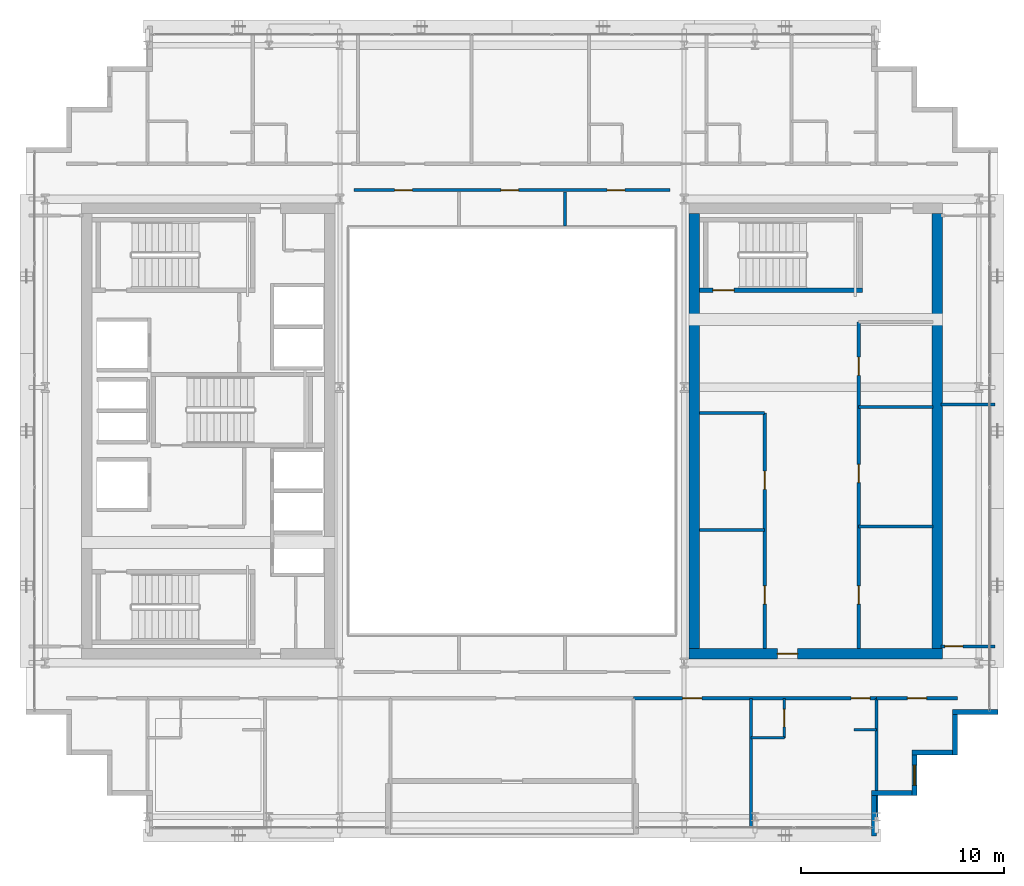
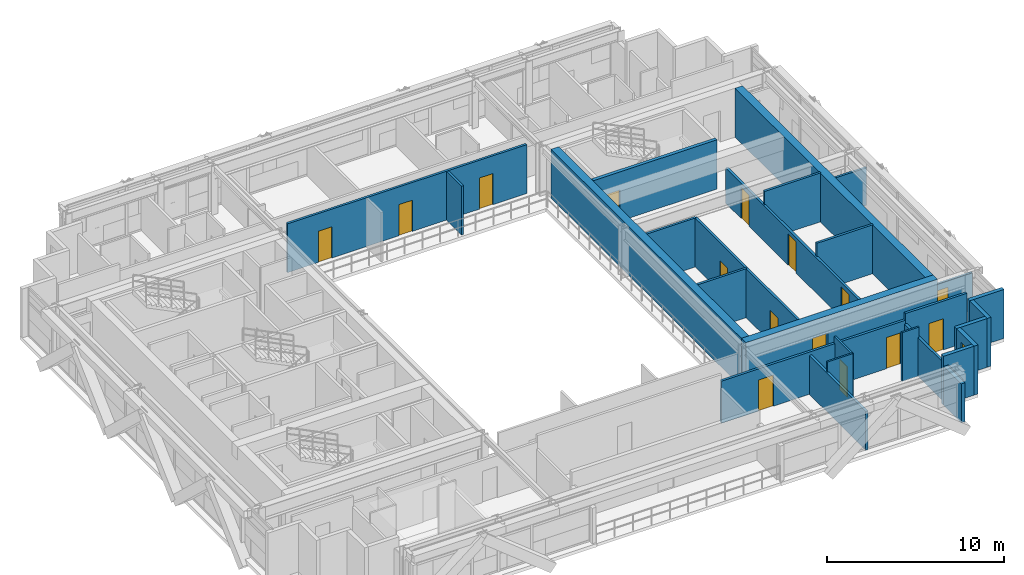
# One storey, part 25 of 31: 27 walls, 15 doors, 1 window, 16 openings.
"""IFC4 building model written with IfcOpenShell, lengths in metres."""

from ifc_helpers import new_model, si_unit, direction, frame, frame_2d, origin, place, context, subcontext, project, spatial, rectangle, extrude, source, transform, mapped, material, layer, layer_set, type_object, element, fill, save


model = new_model("IFC4")

# Units and contexts
model_context = context("Model", 3, precision=1e-05, world=origin(), true_north=direction((0.0, 1.0)))
body_context = subcontext(model_context, "Body", "Model", "MODEL_VIEW")
ifc_project = project(units=[si_unit("LENGTHUNIT", "METRE"), si_unit("AREAUNIT", "SQUARE_METRE"), si_unit("VOLUMEUNIT", "CUBIC_METRE"), si_unit("PLANEANGLEUNIT", "RADIAN"), si_unit("MASSUNIT", "GRAM", prefix="KILO")], contexts=[model_context])

# Site, building, storey
site_placement = place(None, origin())
site = spatial("IfcSite", under=ifc_project, at=site_placement, CompositionType="ELEMENT")
building_placement = place(site_placement, origin())
building = spatial("IfcBuilding", under=site, at=building_placement, Name="Ocotamira Hotel", CompositionType="ELEMENT")
storey_placement = place(building_placement, frame((0.0, 0.0, 188.39990234375)))
storey = spatial("IfcBuildingStorey", under=building, at=storey_placement, Name="L47", CompositionType="ELEMENT", Elevation=188.39990234375)

# Wall, opening, door
ifc_material_1 = material(Name="Concrete C50/60", Category="concrete")
ifc_layer_1 = layer(ifc_material_1, 0.5)
ifc_layer_set_1 = layer_set([ifc_layer_1], Name="Concrete C50/60")
wall_type_1 = type_object("IfcWallType", Name="WL-CORE-500", PredefinedType="SHEAR", material=ifc_layer_set_1)
wall_1_placement = place(storey_placement, frame((40.75, 15.0, 0.0), z_axis=(0.0, 0.0, 1.0), x_axis=(1.0, 0.0, 0.0)))
wall_1 = element("IfcWall", 1, at=wall_1_placement, inside=storey, type_object=wall_type_1, Name="L47 Shear Core Wall ECORE-S", PredefinedType="SHEAR", context=body_context, shape_type="SweptSolid", body=[
    extrude(rectangle(XDim=12.5, YDim=0.5, at=frame_2d((6.25, 0.0))), origin(), (0.0, 0.0, 1.0), 3.3701171875),
])
opening_1_placement = place(wall_1_placement, frame((4.35009765625, 0.0, 0.0)))
opening_1 = element("IfcOpeningElement", 2, at=opening_1_placement, cuts=wall_1, Name="Opening D-FR2", PredefinedType="OPENING", context=body_context, shape_type="SweptSolid", body=[
    extrude(rectangle(XDim=1.0, YDim=2.14990234375, at=frame_2d((0.5, 1.074951171875))), frame((0.0, 0.260009765625, 0.0), z_axis=(0.0, -1.0, 0.0), x_axis=(1.0, 0.0, 0.0)), (0.0, 0.0, 1.0), 0.52001953125),
])
ifc_material_2 = material(Name="Fire-rated acoustic timber-veneer door", Category="wood")
door_type_1 = type_object("IfcDoorType", Name="DR-FIRE-1000", OperationType="NOTDEFINED", PredefinedType="DOOR", material=ifc_material_2)
shared_shape_1 = source(origin(), body_context, "Body", "SweptSolid", [
    extrude(rectangle(XDim=1.0, YDim=2.14990234375, at=frame_2d((0.5, 1.074951171875))), frame((0.0, 0.02490234375, 0.0), z_axis=(0.0, -1.0, 0.0), x_axis=(1.0, 0.0, 0.0)), (0.0, 0.0, 1.0), 0.050048828125),
])
door_1_placement = place(opening_1_placement, origin())
door_1 = element("IfcDoor", 3, at=door_1_placement, inside=storey, type_object=door_type_1, Name="L47 Door ID-L47-ELOB-S-D [ID-L47-ELOB-S-D]", OperationType="SINGLE_SWING_RIGHT", OverallHeight=2.14990234375, OverallWidth=1.0, PredefinedType="DOOR", context=body_context, shape_type="MappedRepresentation", body=[
    mapped(shared_shape_1, transform((0.0, 0.0, 0.0), scale=1.0)),
])
fill(opening_1, door_1)

# Walls
for number, where, z_axis, x_axis, name in (
    (4, (41.0, 15.25, 0.0), (0.0, 0.0, 1.0), (0.0, 1.0, 0.0), "L47 Shear Core Wall ECORE-W"),
    (5, (53.0, 15.25, 0.0), (0.0, 0.0, 1.0), (0.0, 1.0, 0.0), "L47 Shear Core Wall ECORE-E"),
):
    element("IfcWall", number, at=place(storey_placement, frame(where, z_axis=z_axis, x_axis=x_axis)), inside=storey, type_object=wall_type_1, Name=name, PredefinedType="SHEAR", context=body_context, shape_type="SweptSolid", body=[
        extrude(rectangle(XDim=21.5, YDim=0.5, at=frame_2d((10.75, 0.0))), origin(), (0.0, 0.0, 1.0), 3.3701171875),
    ])
ifc_material_3 = material(Name="Precast concrete C45/55", Category="concrete")
ifc_layer_2 = layer(ifc_material_3, 0.25)
ifc_layer_set_2 = layer_set([ifc_layer_2], Name="Precast concrete C45/55")
wall_type_2 = type_object("IfcWallType", Name="WL-EXT-SER-250", PredefinedType="SOLIDWALL", material=ifc_layer_set_2)
wall_2_placement = place(storey_placement, frame((49.875, 6.0, 0.0), z_axis=(0.0, 0.0, 1.0), x_axis=(0.0, 1.0, 0.0)))
element("IfcWall", 6, at=wall_2_placement, inside=storey, type_object=wall_type_2, Name="L47 Serrated Corner Wall 01", PredefinedType="SOLIDWALL", context=body_context, shape_type="SweptSolid", body=[
    extrude(rectangle(XDim=2.0, YDim=0.25, at=frame_2d((1.0, 0.0))), origin(), (0.0, 0.0, 1.0), 2.677001953125),
])
wall_3_placement = place(storey_placement, frame((49.75, 8.125, 0.0), z_axis=(0.0, 0.0, 1.0), x_axis=(1.0, 0.0, 0.0)))
element("IfcWall", 7, at=wall_3_placement, inside=storey, type_object=wall_type_2, Name="L47 Serrated Corner Wall 02", PredefinedType="SOLIDWALL", context=body_context, shape_type="SweptSolid", body=[
    extrude(rectangle(XDim=2.0, YDim=0.25, at=frame_2d((1.0, 0.0))), origin(), (0.0, 0.0, 1.0), 3.3701171875),
])

# Wall, opening, window
wall_4_placement = place(storey_placement, frame((51.875, 8.0, 0.0), z_axis=(0.0, 0.0, 1.0), x_axis=(0.0, 1.0, 0.0)))
wall_4 = element("IfcWall", 8, at=wall_4_placement, inside=storey, type_object=wall_type_2, Name="L47 Serrated Corner Wall 03", PredefinedType="SOLIDWALL", context=body_context, shape_type="SweptSolid", body=[
    extrude(rectangle(XDim=2.0, YDim=0.25, at=frame_2d((1.0, 0.0))), origin(), (0.0, 0.0, 1.0), 3.3701171875),
])
opening_2_placement = place(wall_4_placement, frame((0.5, 0.0, 0.85009765625)))
opening_2 = element("IfcOpeningElement", 9, at=opening_2_placement, cuts=wall_4, Name="Opening WN-2", PredefinedType="OPENING", context=body_context, shape_type="SweptSolid", body=[
    extrude(rectangle(XDim=1.0, YDim=1.89990234375, at=frame_2d((0.5, 0.949951171875))), frame((0.0, 0.135009765625, 0.0), z_axis=(0.0, -1.0, 0.0), x_axis=(1.0, 0.0, 0.0)), (0.0, 0.0, 1.0), 0.27001953125),
])
ifc_material_4 = material(Name="Double-silver low-E solar glass", Category="glass")
window_type = type_object("IfcWindowType", Name="WIN-SER-1100", PartitioningType="SINGLE_PANEL", PredefinedType="WINDOW", material=ifc_material_4)
shared_shape_2 = source(origin(), body_context, "Body", "SweptSolid", [
    extrude(rectangle(XDim=1.0, YDim=1.89990234375, at=frame_2d((0.5, 0.949951171875))), frame((0.0, 0.030029296875, 0.0), z_axis=(0.0, -1.0, 0.0), x_axis=(1.0, 0.0, 0.0)), (0.0, 0.0, 1.0), 0.06005859375),
])
window_placement = place(opening_2_placement, origin())
window = element("IfcWindow", 10, at=window_placement, inside=storey, type_object=window_type, Name="L47 Serrated Corner Window 03", OverallHeight=1.89990234375, OverallWidth=1.0, PartitioningType="SINGLE_PANEL", PredefinedType="WINDOW", context=body_context, shape_type="MappedRepresentation", body=[
    mapped(shared_shape_2, transform((0.0, 0.0, 0.0), scale=1.0)),
])
fill(opening_2, window)

# Walls
for number, where, z_axis, x_axis, name in (
    (11, (51.75, 10.125, 0.0), (0.0, 0.0, 1.0), (1.0, 0.0, 0.0), "L47 Serrated Corner Wall 04"),
    (12, (53.875, 10.0, 0.0), (0.0, 0.0, 1.0), (0.0, 1.0, 0.0), "L47 Serrated Corner Wall 05"),
):
    element("IfcWall", number, at=place(storey_placement, frame(where, z_axis=z_axis, x_axis=x_axis)), inside=storey, type_object=wall_type_2, Name=name, PredefinedType="SOLIDWALL", context=body_context, shape_type="SweptSolid", body=[
        extrude(rectangle(XDim=2.0, YDim=0.25, at=frame_2d((1.0, 0.0))), origin(), (0.0, 0.0, 1.0), 3.3701171875),
    ])
wall_5_placement = place(storey_placement, frame((53.75, 12.125, 0.0), z_axis=(0.0, 0.0, 1.0), x_axis=(1.0, 0.0, 0.0)))
element("IfcWall", 13, at=wall_5_placement, inside=storey, type_object=wall_type_2, Name="L47 Serrated Corner Wall 06", PredefinedType="SOLIDWALL", context=body_context, shape_type="SweptSolid", body=[
    extrude(rectangle(XDim=2.25, YDim=0.25, at=frame_2d((1.125, 0.0))), origin(), (0.0, 0.0, 1.0), 3.3701171875),
])

# Wall, openings, doors
ifc_material_5 = material(Name="Acoustic double-layer fire gypsum board partition", Category="gypsum")
ifc_layer_3 = layer(ifc_material_5, 0.159912109375)
ifc_layer_set_3 = layer_set([ifc_layer_3], Name="Acoustic double-layer fire gypsum board partition")
wall_type_3 = type_object("IfcWallType", Name="WL-FIRE-160", PredefinedType="PARTITIONING", material=ifc_layer_set_3)
wall_6_placement = place(storey_placement, frame((49.1201171875, 15.25, 0.0), z_axis=(0.0, 0.0, 1.0), x_axis=(0.0, 1.0, 0.0)))
wall_6 = element("IfcWall", 14, at=wall_6_placement, inside=storey, type_object=wall_type_3, Name="L47 Interior Wall PW-L47-EC-FLOW-W", PredefinedType="PARTITIONING", context=body_context, shape_type="SweptSolid", body=[
    extrude(rectangle(XDim=16.1298828125, YDim=0.159912109375, at=frame_2d((8.06494140625, 0.0))), origin(), (0.0, 0.0, 1.0), 2.443115234375),
])
opening_3_placement = place(wall_6_placement, frame((2.199951171875, 0.0, 0.0)))
opening_3 = element("IfcOpeningElement", 15, at=opening_3_placement, cuts=wall_6, Name="Opening D-IN3", PredefinedType="OPENING", context=body_context, shape_type="SweptSolid", body=[
    extrude(rectangle(XDim=0.89990234375, YDim=2.14990234375, at=frame_2d((0.449951171875, 1.074951171875))), frame((0.0, 0.08984375, 0.0), z_axis=(0.0, -1.0, 0.0), x_axis=(1.0, 0.0, 0.0)), (0.0, 0.0, 1.0), 0.179931640625),
])
opening_4_placement = place(wall_6_placement, frame((8.199951171875, 0.0, 0.0)))
opening_4 = element("IfcOpeningElement", 16, at=opening_4_placement, cuts=wall_6, Name="Opening D-IN3", PredefinedType="OPENING", context=body_context, shape_type="SweptSolid", body=[
    extrude(rectangle(XDim=0.89990234375, YDim=2.14990234375, at=frame_2d((0.449951171875, 1.074951171875))), frame((0.0, 0.08984375, 0.0), z_axis=(0.0, -1.0, 0.0), x_axis=(1.0, 0.0, 0.0)), (0.0, 0.0, 1.0), 0.179931640625),
])
opening_5_placement = place(wall_6_placement, frame((13.5, 0.0, 0.0)))
opening_5 = element("IfcOpeningElement", 17, at=opening_5_placement, cuts=wall_6, Name="Opening D-IN3", PredefinedType="OPENING", context=body_context, shape_type="SweptSolid", body=[
    extrude(rectangle(XDim=0.89990234375, YDim=2.14990234375, at=frame_2d((0.449951171875, 1.074951171875))), frame((0.0, 0.08984375, 0.0), z_axis=(0.0, -1.0, 0.0), x_axis=(1.0, 0.0, 0.0)), (0.0, 0.0, 1.0), 0.179931640625),
])
ifc_material_6 = material(Name="Painted service room door", Category="steel")
door_type_2 = type_object("IfcDoorType", Name="DR-INT-900", OperationType="NOTDEFINED", PredefinedType="DOOR", material=ifc_material_6)
shared_shape_3 = source(origin(), body_context, "Body", "SweptSolid", [
    extrude(rectangle(XDim=0.89990234375, YDim=2.14990234375, at=frame_2d((0.449951171875, 1.074951171875))), frame((0.0, 0.02490234375, 0.0), z_axis=(0.0, -1.0, 0.0), x_axis=(1.0, 0.0, 0.0)), (0.0, 0.0, 1.0), 0.050048828125),
])
door_2_placement = place(opening_3_placement, origin())
door_2 = element("IfcDoor", 18, at=door_2_placement, inside=storey, type_object=door_type_2, Name="L47 Door ID-L47-EC-FLOW-D1 [ID-L47-EC-FLOW-D1]", OperationType="SINGLE_SWING_LEFT", OverallHeight=2.14990234375, OverallWidth=0.89990234375, PredefinedType="DOOR", context=body_context, shape_type="MappedRepresentation", body=[
    mapped(shared_shape_3, transform((0.0, 0.0, 0.0), scale=1.0)),
])
fill(opening_3, door_2)
door_3_placement = place(opening_4_placement, origin())
door_3 = element("IfcDoor", 19, at=door_3_placement, inside=storey, type_object=door_type_2, Name="L47 Door ID-L47-EC-FLOW-D2 [ID-L47-EC-FLOW-D2]", OperationType="SINGLE_SWING_RIGHT", OverallHeight=2.14990234375, OverallWidth=0.89990234375, PredefinedType="DOOR", context=body_context, shape_type="MappedRepresentation", body=[
    mapped(shared_shape_3, transform((0.0, 0.0, 0.0), scale=1.0)),
])
fill(opening_4, door_3)
door_4_placement = place(opening_5_placement, origin())
door_4 = element("IfcDoor", 20, at=door_4_placement, inside=storey, type_object=door_type_2, Name="L47 Door ID-L47-EC-FLOW-D3 [ID-L47-EC-FLOW-D3]", OperationType="SINGLE_SWING_LEFT", OverallHeight=2.14990234375, OverallWidth=0.89990234375, PredefinedType="DOOR", context=body_context, shape_type="MappedRepresentation", body=[
    mapped(shared_shape_3, transform((0.0, 0.0, 0.0), scale=1.0)),
])
fill(opening_5, door_4)

# Wall, opening, door
wall_7_placement = place(storey_placement, frame((50.0, 12.800048828125, 0.0), z_axis=(0.0, 0.0, 1.0), x_axis=(1.0, 0.0, 0.0)))
wall_7 = element("IfcWall", 21, at=wall_7_placement, inside=storey, type_object=wall_type_3, Name="L47 Interior Wall PW-L47-Z3C-CSE-CW", PredefinedType="PARTITIONING", context=body_context, shape_type="SweptSolid", body=[
    extrude(rectangle(XDim=4.0, YDim=0.159912109375, at=frame_2d((2.0, 0.0))), origin(), (0.0, 0.0, 1.0), 3.3701171875),
])
opening_6_placement = place(wall_7_placement, frame((1.52001953125, 0.0, 0.0)))
opening_6 = element("IfcOpeningElement", 22, at=opening_6_placement, cuts=wall_7, Name="Opening D-SV4", PredefinedType="OPENING", context=body_context, shape_type="SweptSolid", body=[
    extrude(rectangle(XDim=0.9599609375, YDim=2.14990234375, at=frame_2d((0.47998046875, 1.074951171875))), frame((0.0, 0.08984375, 0.0), z_axis=(0.0, -1.0, 0.0), x_axis=(1.0, 0.0, 0.0)), (0.0, 0.0, 1.0), 0.179931640625),
])
ifc_material_7 = material(Name="Fire-rated accessible walnut salon door", Category="wood")
door_type_3 = type_object("IfcDoorType", Name="DR-SERV-960", OperationType="NOTDEFINED", PredefinedType="DOOR", material=ifc_material_7)
shared_shape_4 = source(origin(), body_context, "Body", "SweptSolid", [
    extrude(rectangle(XDim=0.9599609375, YDim=2.14990234375, at=frame_2d((0.47998046875, 1.074951171875))), frame((0.0, 0.02490234375, 0.0), z_axis=(0.0, -1.0, 0.0), x_axis=(1.0, 0.0, 0.0)), (0.0, 0.0, 1.0), 0.050048828125),
])
door_5_placement = place(opening_6_placement, origin())
door_5 = element("IfcDoor", 23, at=door_5_placement, inside=storey, type_object=door_type_3, Name="L47 Door ID-L47-Z3C-CSE-CD [ID-L47-Z3C-CSE-CD]", OperationType="SINGLE_SWING_LEFT", OverallHeight=2.14990234375, OverallWidth=0.9599609375, PredefinedType="DOOR", context=body_context, shape_type="MappedRepresentation", body=[
    mapped(shared_shape_4, transform((0.0, 0.0, 0.0), scale=1.0)),
])
fill(opening_6, door_5)

# Wall, openings, doors
wall_8_placement = place(storey_placement, frame((38.0, 12.800048828125, 0.0), z_axis=(0.0, 0.0, 1.0), x_axis=(1.0, 0.0, 0.0)))
wall_8 = element("IfcWall", 24, at=wall_8_placement, inside=storey, type_object=wall_type_3, Name="L47 Interior Wall PW-L47-Z3CSE-CORRW", PredefinedType="PARTITIONING", context=body_context, shape_type="SweptSolid", body=[
    extrude(rectangle(XDim=12.0, YDim=0.159912109375, at=frame_2d((6.0, 0.0))), origin(), (0.0, 0.0, 1.0), 2.9130859375),
])
opening_7_placement = place(wall_8_placement, frame((2.419921875, 0.0, 0.0)))
opening_7 = element("IfcOpeningElement", 25, at=opening_7_placement, cuts=wall_8, Name="Opening D-SV4", PredefinedType="OPENING", context=body_context, shape_type="SweptSolid", body=[
    extrude(rectangle(XDim=0.9599609375, YDim=2.14990234375, at=frame_2d((0.47998046875, 1.074951171875))), frame((0.0, 0.08984375, 0.0), z_axis=(0.0, -1.0, 0.0), x_axis=(1.0, 0.0, 0.0)), (0.0, 0.0, 1.0), 0.179931640625),
])
opening_8_placement = place(wall_8_placement, frame((10.739990234375, 0.0, 0.0)))
opening_8 = element("IfcOpeningElement", 26, at=opening_8_placement, cuts=wall_8, Name="Opening D-GR1", PredefinedType="OPENING", context=body_context, shape_type="SweptSolid", body=[
    extrude(rectangle(XDim=0.93994140625, YDim=2.14990234375, at=frame_2d((0.469970703125, 1.074951171875))), frame((0.0, 0.08984375, 0.0), z_axis=(0.0, -1.0, 0.0), x_axis=(1.0, 0.0, 0.0)), (0.0, 0.0, 1.0), 0.179931640625),
])
door_6_placement = place(opening_7_placement, origin())
door_6 = element("IfcDoor", 27, at=door_6_placement, inside=storey, type_object=door_type_3, Name="L47 Door ID-L47-Z3CSE-AMD1 [ID-L47-Z3CSE-AMD1]", OperationType="SINGLE_SWING_LEFT", OverallHeight=2.14990234375, OverallWidth=0.9599609375, PredefinedType="DOOR", context=body_context, shape_type="MappedRepresentation", body=[
    mapped(shared_shape_4, transform((0.0, 0.0, 0.0), scale=1.0)),
])
fill(opening_7, door_6)
ifc_material_8 = material(Name="Solid-core walnut suite entrance fire door", Category="wood")
door_type_4 = type_object("IfcDoorType", Name="DR-GUEST-940", OperationType="NOTDEFINED", PredefinedType="DOOR", material=ifc_material_8)
shared_shape_5 = source(origin(), body_context, "Body", "SweptSolid", [
    extrude(rectangle(XDim=0.93994140625, YDim=2.14990234375, at=frame_2d((0.469970703125, 1.074951171875))), frame((0.0, 0.02490234375, 0.0), z_axis=(0.0, -1.0, 0.0), x_axis=(1.0, 0.0, 0.0)), (0.0, 0.0, 1.0), 0.050048828125),
])
door_7_placement = place(opening_8_placement, origin())
door_7 = element("IfcDoor", 28, at=door_7_placement, inside=storey, type_object=door_type_4, Name="L47 Door ID-L47-Z3CSE-RMD2 [ID-L47-Z3CSE-RMD2]", OperationType="SINGLE_SWING_RIGHT", OverallHeight=2.14990234375, OverallWidth=0.93994140625, PredefinedType="DOOR", context=body_context, shape_type="MappedRepresentation", body=[
    mapped(shared_shape_5, transform((0.0, 0.0, 0.0), scale=1.0)),
])
fill(opening_8, door_7)

# Wall, opening, door
ifc_material_9 = material(Name="Moisture-resistant en-suite tile and gypsum partition", Category="gypsum")
ifc_layer_4 = layer(ifc_material_9, 0.1201171875)
ifc_layer_set_4 = layer_set([ifc_layer_4], Name="Moisture-resistant en-suite tile and gypsum partition")
wall_type_4 = type_object("IfcWallType", Name="WL-PART-120", PredefinedType="PARTITIONING", material=ifc_layer_set_4)
wall_9_placement = place(storey_placement, frame((45.449951171875, 10.85009765625, 0.0), z_axis=(0.0, 0.0, 1.0), x_axis=(0.0, 1.0, 0.0)))
wall_9 = element("IfcWall", 29, at=wall_9_placement, inside=storey, type_object=wall_type_4, Name="L47 Interior Wall PW-L47-Z3CSE-BAE2", PredefinedType="PARTITIONING", context=body_context, shape_type="SweptSolid", body=[
    extrude(rectangle(XDim=1.949951171875, YDim=0.1201171875, at=frame_2d((0.97509765625, 0.0))), origin(), (0.0, 0.0, 1.0), 3.3701171875),
])
opening_9_placement = place(wall_9_placement, frame((0.544921875, 0.0, 0.0)))
opening_9 = element("IfcOpeningElement", 30, at=opening_9_placement, cuts=wall_9, Name="Opening D-BA1", PredefinedType="OPENING", context=body_context, shape_type="SweptSolid", body=[
    extrude(rectangle(XDim=0.860107421875, YDim=2.10009765625, at=frame_2d((0.43017578125, 1.050048828125))), frame((0.0, 0.070068359375, 0.0), z_axis=(0.0, -1.0, 0.0), x_axis=(1.0, 0.0, 0.0)), (0.0, 0.0, 1.0), 0.14013671875),
])
ifc_material_10 = material(Name="Moisture-sealed en-suite timber door", Category="wood")
door_type_5 = type_object("IfcDoorType", Name="DR-BATH-860", OperationType="NOTDEFINED", PredefinedType="DOOR", material=ifc_material_10)
shared_shape_6 = source(origin(), body_context, "Body", "SweptSolid", [
    extrude(rectangle(XDim=0.860107421875, YDim=2.10009765625, at=frame_2d((0.43017578125, 1.050048828125))), frame((0.0, 0.02490234375, 0.0), z_axis=(0.0, -1.0, 0.0), x_axis=(1.0, 0.0, 0.0)), (0.0, 0.0, 1.0), 0.050048828125),
])
door_8_placement = place(opening_9_placement, origin())
door_8 = element("IfcDoor", 31, at=door_8_placement, inside=storey, type_object=door_type_5, Name="L47 Door ID-L47-Z3CSE-BAD2 [ID-L47-Z3CSE-BAD2]", OperationType="SINGLE_SWING_LEFT", OverallHeight=2.10009765625, OverallWidth=0.860107421875, PredefinedType="DOOR", context=body_context, shape_type="MappedRepresentation", body=[
    mapped(shared_shape_6, transform((0.0, 0.0, 0.0), scale=1.0)),
])
fill(opening_9, door_8)

# Walls
wall_10_placement = place(storey_placement, frame((43.800048828125, 10.85009765625, 0.0), z_axis=(0.0, 0.0, 1.0), x_axis=(1.0, 0.0, 0.0)))
element("IfcWall", 32, at=wall_10_placement, inside=storey, type_object=wall_type_4, Name="L47 Interior Wall PW-L47-Z3CSE-BAS2", PredefinedType="PARTITIONING", context=body_context, shape_type="SweptSolid", body=[
    extrude(rectangle(XDim=1.64990234375, YDim=0.1201171875, at=frame_2d((0.824951171875, 0.0))), origin(), (0.0, 0.0, 1.0), 3.3701171875),
])
wall_11_placement = place(storey_placement, frame((48.89990234375, 11.25, 0.0), z_axis=(0.0, 0.0, 1.0), x_axis=(1.0, 0.0, 0.0)))
element("IfcWall", 33, at=wall_11_placement, inside=storey, type_object=wall_type_4, Name="L47 Interior Wall PW-L47-Z3CSE-DRN2", PredefinedType="PARTITIONING", context=body_context, shape_type="SweptSolid", body=[
    extrude(rectangle(XDim=1.10009765625, YDim=0.1201171875, at=frame_2d((0.550048828125, 0.0))), origin(), (0.0, 0.0, 1.0), 3.3701171875),
])
ifc_material_11 = material(Name="Acoustic hospitality gypsum board partition", Category="gypsum")
ifc_layer_5 = layer(ifc_material_11, 0.14208984375)
ifc_layer_set_5 = layer_set([ifc_layer_5], Name="Acoustic hospitality gypsum board partition")
wall_type_5 = type_object("IfcWallType", Name="WL-PART-142", PredefinedType="PARTITIONING", material=ifc_layer_set_5)
wall_12_placement = place(storey_placement, frame((34.625, 36.1201171875, 0.0), z_axis=(0.0, 0.0, 1.0), x_axis=(0.0, 1.0, 0.0)))
element("IfcWall", 34, at=wall_12_placement, inside=storey, type_object=wall_type_5, Name="L47 Interior Wall PW-L47-Z3C-ANDV2", PredefinedType="PARTITIONING", context=body_context, shape_type="SweptSolid", body=[
    extrude(rectangle(XDim=1.679931640625, YDim=0.14208984375, at=frame_2d((0.83984375, 0.0))), origin(), (0.0, 0.0, 1.0), 3.3701171875),
])
wall_13_placement = place(storey_placement, frame((53.179931640625, 27.300048828125, 0.0), z_axis=(0.0, 0.0, 1.0), x_axis=(1.0, 0.0, 0.0)))
element("IfcWall", 35, at=wall_13_placement, inside=storey, type_object=wall_type_5, Name="L47 Interior Wall PW-L47-Z3C-EF-DV1", PredefinedType="PARTITIONING", context=body_context, shape_type="SweptSolid", body=[
    extrude(rectangle(XDim=2.66015625, YDim=0.14208984375, at=frame_2d((1.330078125, 0.0))), origin(), (0.0, 0.0, 1.0), 2.591064453125),
])
ifc_layer_6 = layer(ifc_material_11, 0.14990234375)
ifc_layer_set_6 = layer_set([ifc_layer_6], Name="Acoustic hospitality gypsum board partition")
wall_type_6 = type_object("IfcWallType", Name="WL-PART-150", PredefinedType="PARTITIONING", material=ifc_layer_set_6)
for number, where, z_axis, x_axis, name in (
    (36, (49.1201171875, 21.2900390625, 0.0), (0.0, 0.0, 1.0), (1.0, 0.0, 0.0), "L47 Interior Wall PW-L47-EC-FDIV1"),
    (37, (49.1201171875, 27.18994140625, 0.0), (0.0, 0.0, 1.0), (1.0, 0.0, 0.0), "L47 Interior Wall PW-L47-EC-FDIV2"),
):
    element("IfcWall", number, at=place(storey_placement, frame(where, z_axis=z_axis, x_axis=x_axis)), inside=storey, type_object=wall_type_6, Name=name, PredefinedType="PARTITIONING", context=body_context, shape_type="SweptSolid", body=[
        extrude(rectangle(XDim=3.679931640625, YDim=0.14990234375, at=frame_2d((1.83984375, 0.0))), origin(), (0.0, 0.0, 1.0), 3.3701171875),
    ])
for number, where, z_axis, x_axis, name in (
    (38, (41.25, 26.8798828125, 0.0), (0.0, 0.0, 1.0), (1.0, 0.0, 0.0), "L47 Interior Wall PW-L47-EC-FMID-N"),
    (39, (41.25, 21.1201171875, 0.0), (0.0, 0.0, 1.0), (1.0, 0.0, 0.0), "L47 Interior Wall PW-L47-EC-FMID-DIV"),
):
    element("IfcWall", number, at=place(storey_placement, frame(where, z_axis=z_axis, x_axis=x_axis)), inside=storey, type_object=wall_type_6, Name=name, PredefinedType="PARTITIONING", context=body_context, shape_type="SweptSolid", body=[
        extrude(rectangle(XDim=3.22998046875, YDim=0.14990234375, at=frame_2d((1.614990234375, 0.0))), origin(), (0.0, 0.0, 1.0), 3.3701171875),
    ])

# Wall, openings, doors
wall_14_placement = place(storey_placement, frame((44.47998046875, 15.25, 0.0), z_axis=(0.0, 0.0, 1.0), x_axis=(0.0, 1.0, 0.0)))
wall_14 = element("IfcWall", 40, at=wall_14_placement, inside=storey, type_object=wall_type_6, Name="L47 Interior Wall PW-L47-EC-FMID-E", PredefinedType="PARTITIONING", context=body_context, shape_type="SweptSolid", body=[
    extrude(rectangle(XDim=11.6298828125, YDim=0.14990234375, at=frame_2d((5.81494140625, 0.0))), origin(), (0.0, 0.0, 1.0), 3.3701171875),
])
opening_10_placement = place(wall_14_placement, frame((2.199951171875, 0.0, 0.0)))
opening_10 = element("IfcOpeningElement", 41, at=opening_10_placement, cuts=wall_14, Name="Opening D-IN3", PredefinedType="OPENING", context=body_context, shape_type="SweptSolid", body=[
    extrude(rectangle(XDim=0.89990234375, YDim=2.14990234375, at=frame_2d((0.449951171875, 1.074951171875))), frame((0.0, 0.0849609375, 0.0), z_axis=(0.0, -1.0, 0.0), x_axis=(1.0, 0.0, 0.0)), (0.0, 0.0, 1.0), 0.169921875),
])
opening_11_placement = place(wall_14_placement, frame((7.8701171875, 0.0, 0.0)))
opening_11 = element("IfcOpeningElement", 42, at=opening_11_placement, cuts=wall_14, Name="Opening D-IN3", PredefinedType="OPENING", context=body_context, shape_type="SweptSolid", body=[
    extrude(rectangle(XDim=0.89990234375, YDim=2.14990234375, at=frame_2d((0.449951171875, 1.074951171875))), frame((0.0, 0.0849609375, 0.0), z_axis=(0.0, -1.0, 0.0), x_axis=(1.0, 0.0, 0.0)), (0.0, 0.0, 1.0), 0.169921875),
])
door_9_placement = place(opening_10_placement, origin())
door_9 = element("IfcDoor", 43, at=door_9_placement, inside=storey, type_object=door_type_2, Name="L47 Door ID-L47-EC-FMID-D1 [ID-L47-EC-FMID-D1]", OperationType="SINGLE_SWING_RIGHT", OverallHeight=2.14990234375, OverallWidth=0.89990234375, PredefinedType="DOOR", context=body_context, shape_type="MappedRepresentation", body=[
    mapped(shared_shape_3, transform((0.0, 0.0, 0.0), scale=1.0)),
])
fill(opening_10, door_9)
door_10_placement = place(opening_11_placement, origin())
door_10 = element("IfcDoor", 44, at=door_10_placement, inside=storey, type_object=door_type_2, Name="L47 Door ID-L47-EC-FMID-D2 [ID-L47-EC-FMID-D2]", OperationType="SINGLE_SWING_LEFT", OverallHeight=2.14990234375, OverallWidth=0.89990234375, PredefinedType="DOOR", context=body_context, shape_type="MappedRepresentation", body=[
    mapped(shared_shape_3, transform((0.0, 0.0, 0.0), scale=1.0)),
])
fill(opening_11, door_10)

wall_15_placement = place(storey_placement, frame((24.199951171875, 37.89990234375, 0.0), z_axis=(0.0, 0.0, 1.0), x_axis=(1.0, 0.0, 0.0)))
wall_15 = element("IfcWall", 45, at=wall_15_placement, inside=storey, type_object=wall_type_6, Name="L47 Interior Wall PW-L47-Z3C-ATRNW", PredefinedType="PARTITIONING", context=body_context, shape_type="SweptSolid", body=[
    extrude(rectangle(XDim=15.60009765625, YDim=0.14990234375, at=frame_2d((7.800048828125, 0.0))), origin(), (0.0, 0.0, 1.0), 3.3701171875),
])
opening_12_placement = place(wall_15_placement, frame((2.0, 0.0, 0.0)))
opening_12 = element("IfcOpeningElement", 46, at=opening_12_placement, cuts=wall_15, Name="Opening D-SV2", PredefinedType="OPENING", context=body_context, shape_type="SweptSolid", body=[
    extrude(rectangle(XDim=0.8798828125, YDim=2.14990234375, at=frame_2d((0.43994140625, 1.074951171875))), frame((0.0, 0.0849609375, 0.0), z_axis=(0.0, -1.0, 0.0), x_axis=(1.0, 0.0, 0.0)), (0.0, 0.0, 1.0), 0.169921875),
])
opening_13_placement = place(wall_15_placement, frame((7.25, 0.0, 0.0)))
opening_13 = element("IfcOpeningElement", 47, at=opening_13_placement, cuts=wall_15, Name="Opening D-SV2", PredefinedType="OPENING", context=body_context, shape_type="SweptSolid", body=[
    extrude(rectangle(XDim=0.8798828125, YDim=2.14990234375, at=frame_2d((0.43994140625, 1.074951171875))), frame((0.0, 0.0849609375, 0.0), z_axis=(0.0, -1.0, 0.0), x_axis=(1.0, 0.0, 0.0)), (0.0, 0.0, 1.0), 0.169921875),
])
opening_14_placement = place(wall_15_placement, frame((12.5, 0.0, 0.0)))
opening_14 = element("IfcOpeningElement", 48, at=opening_14_placement, cuts=wall_15, Name="Opening D-SV2", PredefinedType="OPENING", context=body_context, shape_type="SweptSolid", body=[
    extrude(rectangle(XDim=0.8798828125, YDim=2.14990234375, at=frame_2d((0.43994140625, 1.074951171875))), frame((0.0, 0.0849609375, 0.0), z_axis=(0.0, -1.0, 0.0), x_axis=(1.0, 0.0, 0.0)), (0.0, 0.0, 1.0), 0.169921875),
])
ifc_material_12 = material(Name="Fire-rated painted steel service door", Category="steel")
door_type_6 = type_object("IfcDoorType", Name="DR-SERV-880", OperationType="NOTDEFINED", PredefinedType="DOOR", material=ifc_material_12)
shared_shape_7 = source(origin(), body_context, "Body", "SweptSolid", [
    extrude(rectangle(XDim=0.8798828125, YDim=2.14990234375, at=frame_2d((0.43994140625, 1.074951171875))), frame((0.0, 0.02490234375, 0.0), z_axis=(0.0, -1.0, 0.0), x_axis=(1.0, 0.0, 0.0)), (0.0, 0.0, 1.0), 0.050048828125),
])
door_11_placement = place(opening_12_placement, origin())
door_11 = element("IfcDoor", 49, at=door_11_placement, inside=storey, type_object=door_type_6, Name="L47 Door ID-L47-Z3C-ANDD1 [ID-L47-Z3C-ANDD1]", OperationType="SINGLE_SWING_RIGHT", OverallHeight=2.14990234375, OverallWidth=0.8798828125, PredefinedType="DOOR", context=body_context, shape_type="MappedRepresentation", body=[
    mapped(shared_shape_7, transform((0.0, 0.0, 0.0), scale=1.0)),
])
fill(opening_12, door_11)
door_12_placement = place(opening_13_placement, origin())
door_12 = element("IfcDoor", 50, at=door_12_placement, inside=storey, type_object=door_type_6, Name="L47 Door ID-L47-Z3C-ANDD2 [ID-L47-Z3C-ANDD2]", OperationType="SINGLE_SWING_RIGHT", OverallHeight=2.14990234375, OverallWidth=0.8798828125, PredefinedType="DOOR", context=body_context, shape_type="MappedRepresentation", body=[
    mapped(shared_shape_7, transform((0.0, 0.0, 0.0), scale=1.0)),
])
fill(opening_13, door_12)
door_13_placement = place(opening_14_placement, origin())
door_13 = element("IfcDoor", 51, at=door_13_placement, inside=storey, type_object=door_type_6, Name="L47 Door ID-L47-Z3C-ANDD3 [ID-L47-Z3C-ANDD3]", OperationType="SINGLE_SWING_RIGHT", OverallHeight=2.14990234375, OverallWidth=0.8798828125, PredefinedType="DOOR", context=body_context, shape_type="MappedRepresentation", body=[
    mapped(shared_shape_7, transform((0.0, 0.0, 0.0), scale=1.0)),
])
fill(opening_14, door_13)

# Wall, opening, door
wall_16_placement = place(storey_placement, frame((53.179931640625, 15.360107421875, 0.0), z_axis=(0.0, 0.0, 1.0), x_axis=(1.0, 0.0, 0.0)))
wall_16 = element("IfcWall", 52, at=wall_16_placement, inside=storey, type_object=wall_type_6, Name="L47 Interior Wall PW-L47-Z3C-EF-WS", PredefinedType="PARTITIONING", context=body_context, shape_type="SweptSolid", body=[
    extrude(rectangle(XDim=2.66015625, YDim=0.14990234375, at=frame_2d((1.330078125, 0.0))), origin(), (0.0, 0.0, 1.0), 2.591064453125),
])
opening_15_placement = place(wall_16_placement, frame((0.199951171875, 0.0, 0.0)))
opening_15 = element("IfcOpeningElement", 53, at=opening_15_placement, cuts=wall_16, Name="Opening D-SV2", PredefinedType="OPENING", context=body_context, shape_type="SweptSolid", body=[
    extrude(rectangle(XDim=0.8798828125, YDim=2.14990234375, at=frame_2d((0.43994140625, 1.074951171875))), frame((0.0, 0.0849609375, 0.0), z_axis=(0.0, -1.0, 0.0), x_axis=(1.0, 0.0, 0.0)), (0.0, 0.0, 1.0), 0.169921875),
])
door_14_placement = place(opening_15_placement, origin())
door_14 = element("IfcDoor", 54, at=door_14_placement, inside=storey, type_object=door_type_6, Name="L47 Door ID-L47-Z3C-EF-DS [ID-L47-Z3C-EF-DS]", OperationType="SINGLE_SWING_RIGHT", OverallHeight=2.14990234375, OverallWidth=0.8798828125, PredefinedType="DOOR", context=body_context, shape_type="MappedRepresentation", body=[
    mapped(shared_shape_7, transform((0.0, 0.0, 0.0), scale=1.0)),
])
fill(opening_15, door_14)

# Walls
ifc_material_13 = material(Name="Acoustic double-stud hospitality gypsum partition", Category="gypsum")
ifc_layer_7 = layer(ifc_material_13, 0.159912109375)
ifc_layer_set_7 = layer_set([ifc_layer_7], Name="Acoustic double-stud hospitality gypsum partition")
wall_type_7 = type_object("IfcWallType", Name="WL-PART-160", PredefinedType="PARTITIONING", material=ifc_layer_set_7)
for number, where, z_axis, x_axis, name in (
    (55, (50.0, 6.360107421875, 0.0), (0.0, 0.0, 1.0), (0.0, 1.0, 0.0), "L47 Interior Wall PW-L47-Z3CSE-PWEND"),
    (56, (43.800048828125, 6.360107421875, 0.0), (0.0, 0.0, 1.0), (0.0, 1.0, 0.0), "L47 Interior Wall PW-L47-Z3CSE-PW1"),
):
    element("IfcWall", number, at=place(storey_placement, frame(where, z_axis=z_axis, x_axis=x_axis)), inside=storey, type_object=wall_type_7, Name=name, PredefinedType="PARTITIONING", context=body_context, shape_type="SweptSolid", body=[
        extrude(rectangle(XDim=6.43994140625, YDim=0.159912109375, at=frame_2d((3.219970703125, 0.0))), origin(), (0.0, 0.0, 1.0), 2.677001953125),
    ])

# Wall, opening, door
ifc_layer_8 = layer(ifc_material_1, 0.219970703125)
ifc_layer_set_8 = layer_set([ifc_layer_8], Name="Concrete C50/60")
wall_type_8 = type_object("IfcWallType", Name="WL-STAIR-220", PredefinedType="SHEAR", material=ifc_layer_set_8)
wall_17_placement = place(storey_placement, frame((41.25, 32.93994140625, 0.0), z_axis=(0.0, 0.0, 1.0), x_axis=(1.0, 0.0, 0.0)))
wall_17 = element("IfcWall", 57, at=wall_17_placement, inside=storey, type_object=wall_type_8, Name="L47 Stair Shaft Structural Wall ST-4-S", PredefinedType="SHEAR", context=body_context, shape_type="SweptSolid", body=[
    extrude(rectangle(XDim=8.06005859375, YDim=0.219970703125, at=frame_2d((4.030029296875, 0.0))), origin(), (0.0, 0.0, 1.0), 3.400146484375),
])
opening_16_placement = place(wall_17_placement, frame((0.669921875, 0.0, 0.0)))
opening_16 = element("IfcOpeningElement", 58, at=opening_16_placement, cuts=wall_17, Name="Opening D-ST2", PredefinedType="OPENING", context=body_context, shape_type="SweptSolid", body=[
    extrude(rectangle(XDim=1.050048828125, YDim=2.14990234375, at=frame_2d((0.52490234375, 1.074951171875))), frame((0.0, 0.1201171875, 0.0), z_axis=(0.0, -1.0, 0.0), x_axis=(1.0, 0.0, 0.0)), (0.0, 0.0, 1.0), 0.239990234375),
])
ifc_material_14 = material(Name="Insulated painted hollow-metal fire exit door", Category="steel")
door_type_7 = type_object("IfcDoorType", Name="DR-STAIR-1050", OperationType="NOTDEFINED", PredefinedType="DOOR", material=ifc_material_14)
shared_shape_8 = source(origin(), body_context, "Body", "SweptSolid", [
    extrude(rectangle(XDim=1.050048828125, YDim=2.14990234375, at=frame_2d((0.52490234375, 1.074951171875))), frame((0.0, 0.02490234375, 0.0), z_axis=(0.0, -1.0, 0.0), x_axis=(1.0, 0.0, 0.0)), (0.0, 0.0, 1.0), 0.050048828125),
])
door_15_placement = place(opening_16_placement, origin())
door_15 = element("IfcDoor", 59, at=door_15_placement, inside=storey, type_object=door_type_7, Name="L47 Door ID-L47-STD-ST-4 [ID-L47-STD-ST-4]", OperationType="SINGLE_SWING_LEFT", OverallHeight=2.14990234375, OverallWidth=1.050048828125, PredefinedType="DOOR", context=body_context, shape_type="MappedRepresentation", body=[
    mapped(shared_shape_8, transform((0.0, 0.0, 0.0), scale=1.0)),
])
fill(opening_16, door_15)

save(model, "model.ifc")
